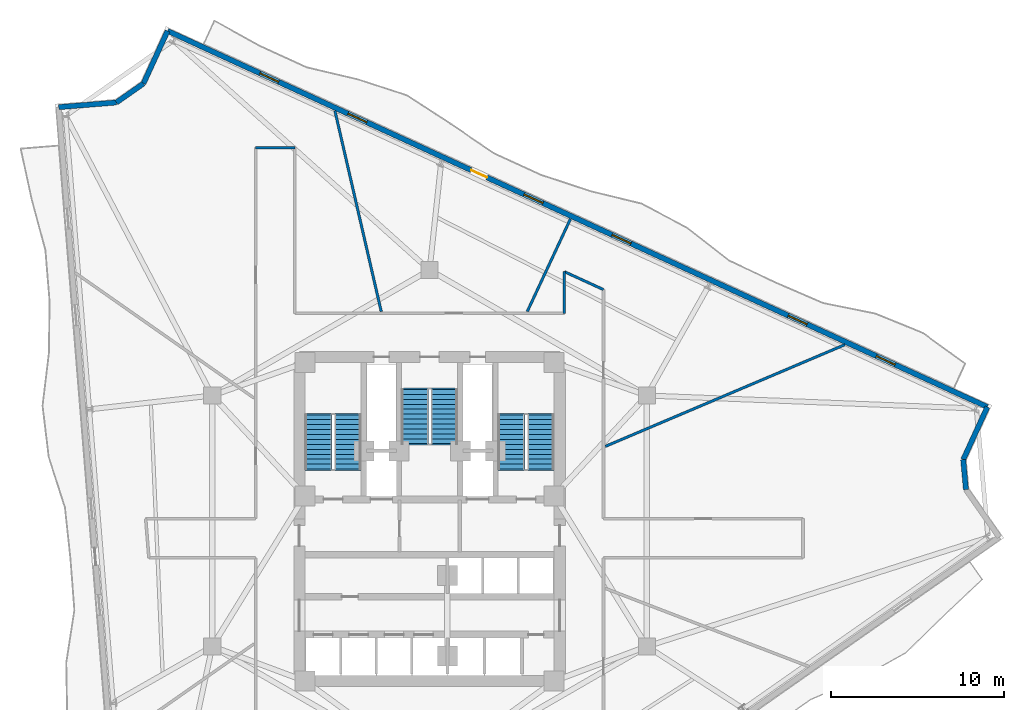
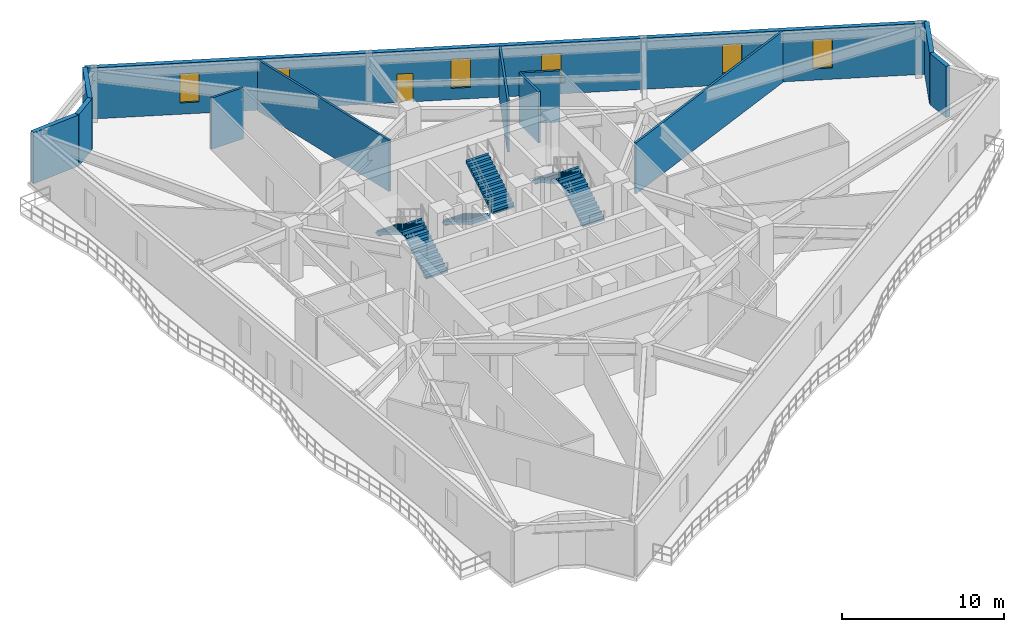
# One storey, part 7 of 11: 12 walls, 6 stair flights, 6 windows, 1 door, 7 openings, 3 elements without a shape of their own.
"""IFC4 building model written with IfcOpenShell, lengths in metres."""

from ifc_helpers import new_model, si_unit, direction, frame, frame_2d, origin, place, context, subcontext, project, spatial, polyline, rectangle, outline, extrude, material, layer, layer_set, type_object, element, fill, aggregate, save


model = new_model("IFC4")

# Units and contexts
model_context = context("Model", 3, precision=1e-05, world=origin(), true_north=direction((0.0, 1.0)))
body_context = subcontext(model_context, "Body", "Model", "MODEL_VIEW")
ifc_project = project(units=[si_unit("LENGTHUNIT", "METRE"), si_unit("AREAUNIT", "SQUARE_METRE"), si_unit("VOLUMEUNIT", "CUBIC_METRE"), si_unit("PLANEANGLEUNIT", "RADIAN"), si_unit("MASSUNIT", "GRAM", prefix="KILO")], contexts=[model_context])

# Site, building, storey
site_placement = place(None, origin())
site = spatial("IfcSite", under=ifc_project, at=site_placement, CompositionType="ELEMENT")
building_placement = place(site_placement, origin())
building = spatial("IfcBuilding", under=site, at=building_placement, Name="Apsidion Concourse Tower", CompositionType="ELEMENT")
storey_placement = place(building_placement, frame((0.0, 0.0, 214.699951171875)))
storey = spatial("IfcBuildingStorey", under=building, at=storey_placement, Name="L50", CompositionType="ELEMENT", Elevation=214.699951171875)

# Wall, openings, door, windows
ifc_material_1 = material(Name="Precast concrete C40/50", Category="concrete")
ifc_layer_1 = layer(ifc_material_1, 0.300048828125)
ifc_layer_set_1 = layer_set([ifc_layer_1], Name="Precast concrete C40/50")
wall_type_1 = type_object("IfcWallType", Name="WL-EXT-300", PredefinedType="STANDARD", material=ifc_layer_set_1)
wall_1_placement = place(storey_placement, frame((-15.1435546875, 28.32177734375, 0.0), z_axis=(0.0, 0.0, 1.0), x_axis=(0.908932099953, -0.416944166136, 0.0)))
wall_1 = element("IfcWall", 1, at=wall_1_placement, inside=storey, type_object=wall_type_1, Name="L50 Precast Stone Facade Wall 01", PredefinedType="STANDARD", context=body_context, shape_type="SweptSolid", body=[
    extrude(rectangle(XDim=52.127685546875, YDim=0.300048828125, at=frame_2d((26.06396484375, 0.0))), origin(), (0.0, 0.0, 1.0), 3.85009765625),
])
opening_1_placement = place(wall_1_placement, frame((19.30859375, 0.0, 0.0)))
opening_1 = element("IfcOpeningElement", 2, at=opening_1_placement, cuts=wall_1, Name="Opening D-T1L", PredefinedType="OPENING", context=body_context, shape_type="SweptSolid", body=[
    extrude(rectangle(XDim=1.0, YDim=2.14990234375, at=frame_2d((0.5, 1.074951171875))), frame((0.0, 0.16015625, 0.0), z_axis=(0.0, -1.0, 0.0), x_axis=(1.0, 0.0, 0.0)), (0.0, 0.0, 1.0), 0.320068359375),
])
opening_2_placement = place(wall_1_placement, frame((5.864013671875, 0.0, 0.85009765625)))
opening_2 = element("IfcOpeningElement", 3, at=opening_2_placement, cuts=wall_1, Name="Opening WN-06", PredefinedType="OPENING", context=body_context, shape_type="SweptSolid", body=[
    extrude(rectangle(XDim=1.199951171875, YDim=2.199951171875, at=frame_2d((0.60009765625, 1.10009765625))), frame((0.0, 0.16015625, 0.0), z_axis=(0.0, -1.0, 0.0), x_axis=(1.0, 0.0, 0.0)), (0.0, 0.0, 1.0), 0.320068359375),
])
opening_3_placement = place(wall_1_placement, frame((11.4638671875, 0.0, 0.85009765625)))
opening_3 = element("IfcOpeningElement", 4, at=opening_3_placement, cuts=wall_1, Name="Opening WN-06", PredefinedType="OPENING", context=body_context, shape_type="SweptSolid", body=[
    extrude(rectangle(XDim=1.199951171875, YDim=2.199951171875, at=frame_2d((0.60009765625, 1.10009765625))), frame((0.0, 0.16015625, 0.0), z_axis=(0.0, -1.0, 0.0), x_axis=(1.0, 0.0, 0.0)), (0.0, 0.0, 1.0), 0.320068359375),
])
opening_4_placement = place(wall_1_placement, frame((22.663818359375, 0.0, 0.85009765625)))
opening_4 = element("IfcOpeningElement", 5, at=opening_4_placement, cuts=wall_1, Name="Opening WN-06", PredefinedType="OPENING", context=body_context, shape_type="SweptSolid", body=[
    extrude(rectangle(XDim=1.199951171875, YDim=2.199951171875, at=frame_2d((0.60009765625, 1.10009765625))), frame((0.0, 0.16015625, 0.0), z_axis=(0.0, -1.0, 0.0), x_axis=(1.0, 0.0, 0.0)), (0.0, 0.0, 1.0), 0.320068359375),
])
opening_5_placement = place(wall_1_placement, frame((28.263916015625, 0.0, 0.85009765625)))
opening_5 = element("IfcOpeningElement", 6, at=opening_5_placement, cuts=wall_1, Name="Opening WN-06", PredefinedType="OPENING", context=body_context, shape_type="SweptSolid", body=[
    extrude(rectangle(XDim=1.199951171875, YDim=2.199951171875, at=frame_2d((0.60009765625, 1.10009765625))), frame((0.0, 0.16015625, 0.0), z_axis=(0.0, -1.0, 0.0), x_axis=(1.0, 0.0, 0.0)), (0.0, 0.0, 1.0), 0.320068359375),
])
opening_6_placement = place(wall_1_placement, frame((39.4638671875, 0.0, 0.85009765625)))
opening_6 = element("IfcOpeningElement", 7, at=opening_6_placement, cuts=wall_1, Name="Opening WN-06", PredefinedType="OPENING", context=body_context, shape_type="SweptSolid", body=[
    extrude(rectangle(XDim=1.199951171875, YDim=2.199951171875, at=frame_2d((0.60009765625, 1.10009765625))), frame((0.0, 0.16015625, 0.0), z_axis=(0.0, -1.0, 0.0), x_axis=(1.0, 0.0, 0.0)), (0.0, 0.0, 1.0), 0.320068359375),
])
opening_7_placement = place(wall_1_placement, frame((45.06396484375, 0.0, 0.85009765625)))
opening_7 = element("IfcOpeningElement", 8, at=opening_7_placement, cuts=wall_1, Name="Opening WN-06", PredefinedType="OPENING", context=body_context, shape_type="SweptSolid", body=[
    extrude(rectangle(XDim=1.199951171875, YDim=2.199951171875, at=frame_2d((0.60009765625, 1.10009765625))), frame((0.0, 0.16015625, 0.0), z_axis=(0.0, -1.0, 0.0), x_axis=(1.0, 0.0, 0.0)), (0.0, 0.0, 1.0), 0.320068359375),
])
ifc_material_2 = material(Name="Anodised aluminium EN AW-6063 T6", Category="aluminium")
door_type = type_object("IfcDoorType", Name="DR-TER-1022L", OperationType="SINGLE_SWING_LEFT", PredefinedType="DOOR", material=ifc_material_2)
door_placement = place(opening_1_placement, origin())
door = element("IfcDoor", 9, at=door_placement, inside=storey, type_object=door_type, Name="L50 Balcony Access Door 3", OperationType="SINGLE_SWING_LEFT", OverallHeight=2.14990234375, OverallWidth=1.0, PredefinedType="DOOR", context=body_context, shape_type="SweptSolid", body=[
    extrude(rectangle(XDim=1.0, YDim=2.14990234375, at=frame_2d((0.5, 1.074951171875))), frame((0.0, 0.02490234375, 0.0), z_axis=(0.0, -1.0, 0.0), x_axis=(1.0, 0.0, 0.0)), (0.0, 0.0, 1.0), 0.050048828125),
])
fill(opening_1, door)
ifc_material_3 = material(Name="Insulated laminated low-E glass", Category="glass")
window_type = type_object("IfcWindowType", Name="WN-OFF-1224", PartitioningType="SINGLE_PANEL", PredefinedType="WINDOW", material=ifc_material_3)
window_1_placement = place(opening_2_placement, origin())
window_1 = element("IfcWindow", 10, at=window_1_placement, inside=storey, type_object=window_type, Name="L50 Punched Facade Window 1-01", OverallHeight=2.199951171875, OverallWidth=1.199951171875, PartitioningType="SINGLE_PANEL", PredefinedType="WINDOW", context=body_context, shape_type="SweptSolid", body=[
    extrude(rectangle(XDim=1.199951171875, YDim=2.199951171875, at=frame_2d((0.60009765625, 1.10009765625))), frame((0.0, 0.030029296875, 0.0), z_axis=(0.0, -1.0, 0.0), x_axis=(1.0, 0.0, 0.0)), (0.0, 0.0, 1.0), 0.06005859375),
])
fill(opening_2, window_1)
window_2_placement = place(opening_3_placement, origin())
window_2 = element("IfcWindow", 11, at=window_2_placement, inside=storey, type_object=window_type, Name="L50 Punched Facade Window 1-02", OverallHeight=2.199951171875, OverallWidth=1.199951171875, PartitioningType="SINGLE_PANEL", PredefinedType="WINDOW", context=body_context, shape_type="SweptSolid", body=[
    extrude(rectangle(XDim=1.199951171875, YDim=2.199951171875, at=frame_2d((0.60009765625, 1.10009765625))), frame((0.0, 0.030029296875, 0.0), z_axis=(0.0, -1.0, 0.0), x_axis=(1.0, 0.0, 0.0)), (0.0, 0.0, 1.0), 0.06005859375),
])
fill(opening_3, window_2)
window_3_placement = place(opening_4_placement, origin())
window_3 = element("IfcWindow", 12, at=window_3_placement, inside=storey, type_object=window_type, Name="L50 Punched Facade Window 1-04", OverallHeight=2.199951171875, OverallWidth=1.199951171875, PartitioningType="SINGLE_PANEL", PredefinedType="WINDOW", context=body_context, shape_type="SweptSolid", body=[
    extrude(rectangle(XDim=1.199951171875, YDim=2.199951171875, at=frame_2d((0.60009765625, 1.10009765625))), frame((0.0, 0.030029296875, 0.0), z_axis=(0.0, -1.0, 0.0), x_axis=(1.0, 0.0, 0.0)), (0.0, 0.0, 1.0), 0.06005859375),
])
fill(opening_4, window_3)
window_4_placement = place(opening_5_placement, origin())
window_4 = element("IfcWindow", 13, at=window_4_placement, inside=storey, type_object=window_type, Name="L50 Punched Facade Window 1-05", OverallHeight=2.199951171875, OverallWidth=1.199951171875, PartitioningType="SINGLE_PANEL", PredefinedType="WINDOW", context=body_context, shape_type="SweptSolid", body=[
    extrude(rectangle(XDim=1.199951171875, YDim=2.199951171875, at=frame_2d((0.60009765625, 1.10009765625))), frame((0.0, 0.030029296875, 0.0), z_axis=(0.0, -1.0, 0.0), x_axis=(1.0, 0.0, 0.0)), (0.0, 0.0, 1.0), 0.06005859375),
])
fill(opening_5, window_4)
window_5_placement = place(opening_6_placement, origin())
window_5 = element("IfcWindow", 14, at=window_5_placement, inside=storey, type_object=window_type, Name="L50 Punched Facade Window 1-07", OverallHeight=2.199951171875, OverallWidth=1.199951171875, PartitioningType="SINGLE_PANEL", PredefinedType="WINDOW", context=body_context, shape_type="SweptSolid", body=[
    extrude(rectangle(XDim=1.199951171875, YDim=2.199951171875, at=frame_2d((0.60009765625, 1.10009765625))), frame((0.0, 0.030029296875, 0.0), z_axis=(0.0, -1.0, 0.0), x_axis=(1.0, 0.0, 0.0)), (0.0, 0.0, 1.0), 0.06005859375),
])
fill(opening_6, window_5)
window_6_placement = place(opening_7_placement, origin())
window_6 = element("IfcWindow", 15, at=window_6_placement, inside=storey, type_object=window_type, Name="L50 Punched Facade Window 1-08", OverallHeight=2.199951171875, OverallWidth=1.199951171875, PartitioningType="SINGLE_PANEL", PredefinedType="WINDOW", context=body_context, shape_type="SweptSolid", body=[
    extrude(rectangle(XDim=1.199951171875, YDim=2.199951171875, at=frame_2d((0.60009765625, 1.10009765625))), frame((0.0, 0.030029296875, 0.0), z_axis=(0.0, -1.0, 0.0), x_axis=(1.0, 0.0, 0.0)), (0.0, 0.0, 1.0), 0.06005859375),
])
fill(opening_7, window_6)

# Walls
wall_2_placement = place(storey_placement, frame((32.237060546875, 6.58740234375, 0.0), z_axis=(0.0, 0.0, 1.0), x_axis=(-0.416956203263, -0.908926578201, 0.0)))
element("IfcWall", 16, at=wall_2_placement, inside=storey, type_object=wall_type_1, Name="L50 Precast Stone Facade Wall 02", PredefinedType="STANDARD", context=body_context, shape_type="SweptSolid", body=[
    extrude(rectangle(XDim=3.345703125, YDim=0.300048828125, at=frame_2d((1.6728515625, 0.0))), origin(), (0.0, 0.0, 1.0), 3.85009765625),
])
wall_3_placement = place(storey_placement, frame((30.842041015625, 3.54638671875, 0.0), z_axis=(0.0, 0.0, 1.0), x_axis=(0.09030850916, -0.995913838228, 0.0)))
element("IfcWall", 17, at=wall_3_placement, inside=storey, type_object=wall_type_1, Name="L50 Precast Stone Facade Wall 03", PredefinedType="STANDARD", context=body_context, shape_type="SweptSolid", body=[
    extrude(rectangle(XDim=1.74365234375, YDim=0.300048828125, at=frame_2d((0.871826171875, 0.0))), origin(), (0.0, 0.0, 1.0), 3.85009765625),
])
wall_4_placement = place(storey_placement, frame((-21.4345703125, 23.9169921875, 0.0), z_axis=(0.0, 0.0, 1.0), x_axis=(0.99672253381, 0.080896171692, 0.0)))
element("IfcWall", 18, at=wall_4_placement, inside=storey, type_object=wall_type_1, Name="L50 Precast Stone Facade Wall 10", PredefinedType="STANDARD", context=body_context, shape_type="SweptSolid", body=[
    extrude(rectangle(XDim=3.346923828125, YDim=0.300048828125, at=frame_2d((1.67333984375, 0.0))), origin(), (0.0, 0.0, 1.0), 3.85009765625),
])
wall_5_placement = place(storey_placement, frame((-18.0986328125, 24.187744140625, 0.0), z_axis=(0.0, 0.0, 1.0), x_axis=(0.819147570989, 0.573582824833, 0.0)))
element("IfcWall", 19, at=wall_5_placement, inside=storey, type_object=wall_type_1, Name="L50 Precast Stone Facade Wall 11", PredefinedType="STANDARD", context=body_context, shape_type="SweptSolid", body=[
    extrude(rectangle(XDim=1.90380859375, YDim=0.300048828125, at=frame_2d((0.951904296875, 0.0))), origin(), (0.0, 0.0, 1.0), 3.85009765625),
])
wall_6_placement = place(storey_placement, frame((-16.5390625, 25.27978515625, 0.0), z_axis=(0.0, 0.0, 1.0), x_axis=(0.416966150663, 0.908922014917, 0.0)))
element("IfcWall", 20, at=wall_6_placement, inside=storey, type_object=wall_type_1, Name="L50 Precast Stone Facade Wall 12", PredefinedType="STANDARD", context=body_context, shape_type="SweptSolid", body=[
    extrude(rectangle(XDim=3.346923828125, YDim=0.300048828125, at=frame_2d((1.67333984375, 0.0))), origin(), (0.0, 0.0, 1.0), 3.85009765625),
])
ifc_material_4 = material(Name="Gypsum plasterboard partition")
ifc_layer_2 = layer(ifc_material_4, 0.14990234375)
ifc_layer_set_2 = layer_set([ifc_layer_2], Name="Gypsum plasterboard partition")
wall_type_2 = type_object("IfcWallType", Name="WL-INT-PAR-150", PredefinedType="PARTITIONING", material=ifc_layer_set_2)
wall_7_placement = place(storey_placement, frame((-10.050048828125, 21.580078125, 0.0), z_axis=(0.0, 0.0, 1.0), x_axis=(1.0, 0.0, 0.0)))
element("IfcWall", 21, at=wall_7_placement, inside=storey, type_object=wall_type_2, Name="L50 Interior Partition WL-L50-CORR-11", PredefinedType="PARTITIONING", context=body_context, shape_type="SweptSolid", body=[
    extrude(rectangle(XDim=2.260009765625, YDim=0.14990234375, at=frame_2d((1.1298828125, 0.0))), origin(), (0.0, 0.0, 1.0), 3.85009765625),
])
wall_8_placement = place(storey_placement, frame((7.7900390625, 12.0, 0.0), z_axis=(0.0, 0.0, 1.0), x_axis=(0.0, 1.0, 0.0)))
element("IfcWall", 22, at=wall_8_placement, inside=storey, type_object=wall_type_2, Name="L50 Interior Partition WL-L50-CORR-14", PredefinedType="PARTITIONING", context=body_context, shape_type="SweptSolid", body=[
    extrude(rectangle(XDim=2.40771484375, YDim=0.14990234375, at=frame_2d((1.203857421875, 0.0))), origin(), (0.0, 0.0, 1.0), 3.85009765625),
])
wall_9_placement = place(storey_placement, frame((7.7900390625, 14.40771484375, 0.0), z_axis=(0.0, 0.0, 1.0), x_axis=(0.908908252736, -0.416996148792, 0.0)))
element("IfcWall", 23, at=wall_9_placement, inside=storey, type_object=wall_type_2, Name="L50 Interior Partition WL-L50-CORR-15", PredefinedType="PARTITIONING", context=body_context, shape_type="SweptSolid", body=[
    extrude(rectangle(XDim=2.486572265625, YDim=0.14990234375, at=frame_2d((1.2431640625, 0.0))), origin(), (0.0, 0.0, 1.0), 3.85009765625),
])
wall_10_placement = place(storey_placement, frame((10.155029296875, 4.310546875, 0.0), z_axis=(0.0, 0.0, 1.0), x_axis=(0.920508355485, 0.390722878115, 0.0)))
element("IfcWall", 24, at=wall_10_placement, inside=storey, type_object=wall_type_2, Name="L50 Interior Partition WL-L50-RAD-01-1", PredefinedType="PARTITIONING", context=body_context, shape_type="SweptSolid", body=[
    extrude(rectangle(XDim=15.036865234375, YDim=0.14990234375, at=frame_2d((7.5185546875, 0.0))), origin(), (0.0, 0.0, 1.0), 3.85009765625),
])
wall_11_placement = place(storey_placement, frame((5.644775390625, 12.10498046875, 0.0), z_axis=(0.0, 0.0, 1.0), x_axis=(0.422613952509, 0.906309796452, 0.0)))
element("IfcWall", 25, at=wall_11_placement, inside=storey, type_object=wall_type_2, Name="L50 Interior Partition WL-L50-RAD-02-1", PredefinedType="PARTITIONING", context=body_context, shape_type="SweptSolid", body=[
    extrude(rectangle(XDim=5.907470703125, YDim=0.14990234375, at=frame_2d((2.95361328125, 0.0))), origin(), (0.0, 0.0, 1.0), 3.85009765625),
])
wall_12_placement = place(storey_placement, frame((-2.794677734375, 12.10498046875, 0.0), z_axis=(0.0, 0.0, 1.0), x_axis=(-0.224940388898, 0.974372527036, 0.0)))
element("IfcWall", 26, at=wall_12_placement, inside=storey, type_object=wall_type_2, Name="L50 Interior Partition WL-L50-RAD-03-1", PredefinedType="PARTITIONING", context=body_context, shape_type="SweptSolid", body=[
    extrude(rectangle(XDim=11.904296875, YDim=0.14990234375, at=frame_2d((5.9521484375, 0.0))), origin(), (0.0, 0.0, 1.0), 3.85009765625),
])

# Stair, stair flights
stair_type = type_object("IfcStairType", Name="ST-DL-1550", PredefinedType="HALF_TURN_STAIR", material=ifc_material_1)
stair_1_placement = place(storey_placement, origin())
stair_1 = element("IfcStair", 27, at=stair_1_placement, inside=storey, type_object=stair_type, Name="L50 Protected Core Exit Stair ST1", PredefinedType="HALF_TURN_STAIR")
stair_flight_type = type_object("IfcStairFlightType", Name="SFL-RC-1550", PredefinedType="STRAIGHT", material=ifc_material_1)
stair_flight_1_placement = place(storey_placement, frame((-4.72509765625, 3.0, 0.0), z_axis=(0.0, 0.0, 1.0), x_axis=(0.0, 1.0, 0.0)))
stair_flight_1 = element("IfcStairFlight", 28, at=stair_flight_1_placement, type_object=stair_flight_type, Name="ST1 flight 1", NumberOfRisers=12, NumberOfTreads=11, PredefinedType="STRAIGHT", RiserHeight=0.170833333, TreadLength=0.285, context=body_context, shape_type="SweptSolid", body=[
    extrude(outline(polyline([(-0.080078125, -0.1123046875), (-0.080078125, 0.0), (0.0, 0.0), (0.0, 0.1708984375), (0.284912109375, 0.1708984375), (0.284912109375, 0.341552734375), (0.570068359375, 0.341552734375), (0.570068359375, 0.512451171875), (0.85498046875, 0.512451171875), (0.85498046875, 0.683349609375), (1.139892578125, 0.683349609375), (1.139892578125, 0.854248046875), (1.425048828125, 0.854248046875), (1.425048828125, 1.02490234375), (1.7099609375, 1.02490234375), (1.7099609375, 1.19580078125), (1.9951171875, 1.19580078125), (1.9951171875, 1.36669921875), (2.280029296875, 1.36669921875), (2.280029296875, 1.53759765625), (2.56494140625, 1.53759765625), (2.56494140625, 1.708251953125), (2.85009765625, 1.708251953125), (2.85009765625, 1.879150390625), (3.135009765625, 1.879150390625), (3.135009765625, 2.050048828125), (3.215087890625, 1.964599609375), (3.215087890625, 1.704345703125), (3.135009765625, 1.704345703125), (0.29150390625, 0.0), (0.29150390625, -0.1123046875), (-0.080078125, -0.1123046875)])), frame((0.0, 0.77490234375, 0.0), z_axis=(0.0, -1.0, 0.0), x_axis=(1.0, 0.0, 0.0)), (0.0, 0.0, 1.0), 1.550048828125),
])
stair_flight_2_placement = place(storey_placement, frame((-6.425048828125, 6.135009765625, 2.050048828125), z_axis=(0.0, 0.0, 1.0), x_axis=(0.0, -1.0, 0.0)))
stair_flight_2 = element("IfcStairFlight", 29, at=stair_flight_2_placement, type_object=stair_flight_type, Name="ST1 flight 2", NumberOfRisers=12, NumberOfTreads=11, PredefinedType="STRAIGHT", RiserHeight=0.170833333, TreadLength=0.285, context=body_context, shape_type="SweptSolid", body=[
    extrude(outline(polyline([(-0.080078125, -0.1123046875), (-0.080078125, 0.0), (0.0, 0.0), (0.0, 0.1708984375), (0.284912109375, 0.1708984375), (0.284912109375, 0.341552734375), (0.570068359375, 0.341552734375), (0.570068359375, 0.512451171875), (0.85498046875, 0.512451171875), (0.85498046875, 0.683349609375), (1.139892578125, 0.683349609375), (1.139892578125, 0.854248046875), (1.425048828125, 0.854248046875), (1.425048828125, 1.02490234375), (1.7099609375, 1.02490234375), (1.7099609375, 1.19580078125), (1.9951171875, 1.19580078125), (1.9951171875, 1.36669921875), (2.280029296875, 1.36669921875), (2.280029296875, 1.53759765625), (2.56494140625, 1.53759765625), (2.56494140625, 1.708251953125), (2.85009765625, 1.708251953125), (2.85009765625, 1.879150390625), (3.135009765625, 1.879150390625), (3.135009765625, 2.050048828125), (3.215087890625, 1.964599609375), (3.215087890625, 1.704345703125), (3.135009765625, 1.704345703125), (0.29150390625, 0.0), (0.29150390625, -0.1123046875), (-0.080078125, -0.1123046875)])), frame((0.0, 0.77490234375, 0.0), z_axis=(0.0, -1.0, 0.0), x_axis=(1.0, 0.0, 0.0)), (0.0, 0.0, 1.0), 1.550048828125),
])
aggregate(stair_1, [stair_flight_1, stair_flight_2])

stair_2_placement = place(storey_placement, origin())
stair_2 = element("IfcStair", 30, at=stair_2_placement, inside=storey, type_object=stair_type, Name="L50 Protected Core Exit Stair ST2", PredefinedType="HALF_TURN_STAIR")
stair_flight_3_placement = place(storey_placement, frame((6.425048828125, 3.0, 0.0), z_axis=(0.0, 0.0, 1.0), x_axis=(0.0, 1.0, 0.0)))
stair_flight_3 = element("IfcStairFlight", 31, at=stair_flight_3_placement, type_object=stair_flight_type, Name="ST2 flight 1", NumberOfRisers=12, NumberOfTreads=11, PredefinedType="STRAIGHT", RiserHeight=0.170833333, TreadLength=0.285, context=body_context, shape_type="SweptSolid", body=[
    extrude(outline(polyline([(-0.080078125, -0.1123046875), (-0.080078125, 0.0), (0.0, 0.0), (0.0, 0.1708984375), (0.284912109375, 0.1708984375), (0.284912109375, 0.341552734375), (0.570068359375, 0.341552734375), (0.570068359375, 0.512451171875), (0.85498046875, 0.512451171875), (0.85498046875, 0.683349609375), (1.139892578125, 0.683349609375), (1.139892578125, 0.854248046875), (1.425048828125, 0.854248046875), (1.425048828125, 1.02490234375), (1.7099609375, 1.02490234375), (1.7099609375, 1.19580078125), (1.9951171875, 1.19580078125), (1.9951171875, 1.36669921875), (2.280029296875, 1.36669921875), (2.280029296875, 1.53759765625), (2.56494140625, 1.53759765625), (2.56494140625, 1.708251953125), (2.85009765625, 1.708251953125), (2.85009765625, 1.879150390625), (3.135009765625, 1.879150390625), (3.135009765625, 2.050048828125), (3.215087890625, 1.964599609375), (3.215087890625, 1.704345703125), (3.135009765625, 1.704345703125), (0.29150390625, 0.0), (0.29150390625, -0.1123046875), (-0.080078125, -0.1123046875)])), frame((0.0, 0.77490234375, 0.0), z_axis=(0.0, -1.0, 0.0), x_axis=(1.0, 0.0, 0.0)), (0.0, 0.0, 1.0), 1.550048828125),
])
stair_flight_4_placement = place(storey_placement, frame((4.72509765625, 6.135009765625, 2.050048828125), z_axis=(0.0, 0.0, 1.0), x_axis=(0.0, -1.0, 0.0)))
stair_flight_4 = element("IfcStairFlight", 32, at=stair_flight_4_placement, type_object=stair_flight_type, Name="ST2 flight 2", NumberOfRisers=12, NumberOfTreads=11, PredefinedType="STRAIGHT", RiserHeight=0.170833333, TreadLength=0.285, context=body_context, shape_type="SweptSolid", body=[
    extrude(outline(polyline([(-0.080078125, -0.1123046875), (-0.080078125, 0.0), (0.0, 0.0), (0.0, 0.1708984375), (0.284912109375, 0.1708984375), (0.284912109375, 0.341552734375), (0.570068359375, 0.341552734375), (0.570068359375, 0.512451171875), (0.85498046875, 0.512451171875), (0.85498046875, 0.683349609375), (1.139892578125, 0.683349609375), (1.139892578125, 0.854248046875), (1.425048828125, 0.854248046875), (1.425048828125, 1.02490234375), (1.7099609375, 1.02490234375), (1.7099609375, 1.19580078125), (1.9951171875, 1.19580078125), (1.9951171875, 1.36669921875), (2.280029296875, 1.36669921875), (2.280029296875, 1.53759765625), (2.56494140625, 1.53759765625), (2.56494140625, 1.708251953125), (2.85009765625, 1.708251953125), (2.85009765625, 1.879150390625), (3.135009765625, 1.879150390625), (3.135009765625, 2.050048828125), (3.215087890625, 1.964599609375), (3.215087890625, 1.704345703125), (3.135009765625, 1.704345703125), (0.29150390625, 0.0), (0.29150390625, -0.1123046875), (-0.080078125, -0.1123046875)])), frame((0.0, 0.77490234375, 0.0), z_axis=(0.0, -1.0, 0.0), x_axis=(1.0, 0.0, 0.0)), (0.0, 0.0, 1.0), 1.550048828125),
])
aggregate(stair_2, [stair_flight_3, stair_flight_4])

stair_3_placement = place(storey_placement, origin())
stair_3 = element("IfcStair", 33, at=stair_3_placement, inside=storey, type_object=stair_type, Name="L50 Protected Core Exit Stair ST3", PredefinedType="HALF_TURN_STAIR")
stair_flight_5_placement = place(storey_placement, frame((-0.85009765625, 7.60009765625, 0.0), z_axis=(0.0, 0.0, 1.0), x_axis=(0.0, -1.0, 0.0)))
stair_flight_5 = element("IfcStairFlight", 34, at=stair_flight_5_placement, type_object=stair_flight_type, Name="ST3 flight 1", NumberOfRisers=12, NumberOfTreads=11, PredefinedType="STRAIGHT", RiserHeight=0.170833333, TreadLength=0.285, context=body_context, shape_type="SweptSolid", body=[
    extrude(outline(polyline([(-0.080078125, -0.1123046875), (-0.080078125, 0.0), (0.0, 0.0), (0.0, 0.1708984375), (0.284912109375, 0.1708984375), (0.284912109375, 0.341552734375), (0.570068359375, 0.341552734375), (0.570068359375, 0.512451171875), (0.85498046875, 0.512451171875), (0.85498046875, 0.683349609375), (1.139892578125, 0.683349609375), (1.139892578125, 0.854248046875), (1.425048828125, 0.854248046875), (1.425048828125, 1.02490234375), (1.7099609375, 1.02490234375), (1.7099609375, 1.19580078125), (1.9951171875, 1.19580078125), (1.9951171875, 1.36669921875), (2.280029296875, 1.36669921875), (2.280029296875, 1.53759765625), (2.56494140625, 1.53759765625), (2.56494140625, 1.708251953125), (2.85009765625, 1.708251953125), (2.85009765625, 1.879150390625), (3.135009765625, 1.879150390625), (3.135009765625, 2.050048828125), (3.215087890625, 1.964599609375), (3.215087890625, 1.704345703125), (3.135009765625, 1.704345703125), (0.29150390625, 0.0), (0.29150390625, -0.1123046875), (-0.080078125, -0.1123046875)])), frame((0.0, 0.77490234375, 0.0), z_axis=(0.0, -1.0, 0.0), x_axis=(1.0, 0.0, 0.0)), (0.0, 0.0, 1.0), 1.550048828125),
])
stair_flight_6_placement = place(storey_placement, frame((0.85009765625, 4.465087890625, 2.050048828125), z_axis=(0.0, 0.0, 1.0), x_axis=(0.0, 1.0, 0.0)))
stair_flight_6 = element("IfcStairFlight", 35, at=stair_flight_6_placement, type_object=stair_flight_type, Name="ST3 flight 2", NumberOfRisers=12, NumberOfTreads=11, PredefinedType="STRAIGHT", RiserHeight=0.170833333, TreadLength=0.285, context=body_context, shape_type="SweptSolid", body=[
    extrude(outline(polyline([(-0.080078125, -0.1123046875), (-0.080078125, 0.0), (0.0, 0.0), (0.0, 0.1708984375), (0.284912109375, 0.1708984375), (0.284912109375, 0.341552734375), (0.570068359375, 0.341552734375), (0.570068359375, 0.512451171875), (0.85498046875, 0.512451171875), (0.85498046875, 0.683349609375), (1.139892578125, 0.683349609375), (1.139892578125, 0.854248046875), (1.425048828125, 0.854248046875), (1.425048828125, 1.02490234375), (1.7099609375, 1.02490234375), (1.7099609375, 1.19580078125), (1.9951171875, 1.19580078125), (1.9951171875, 1.36669921875), (2.280029296875, 1.36669921875), (2.280029296875, 1.53759765625), (2.56494140625, 1.53759765625), (2.56494140625, 1.708251953125), (2.85009765625, 1.708251953125), (2.85009765625, 1.879150390625), (3.135009765625, 1.879150390625), (3.135009765625, 2.050048828125), (3.215087890625, 1.964599609375), (3.215087890625, 1.704345703125), (3.135009765625, 1.704345703125), (0.29150390625, 0.0), (0.29150390625, -0.1123046875), (-0.080078125, -0.1123046875)])), frame((0.0, 0.77490234375, 0.0), z_axis=(0.0, -1.0, 0.0), x_axis=(1.0, 0.0, 0.0)), (0.0, 0.0, 1.0), 1.550048828125),
])
aggregate(stair_3, [stair_flight_5, stair_flight_6])

save(model, "model.ifc")
